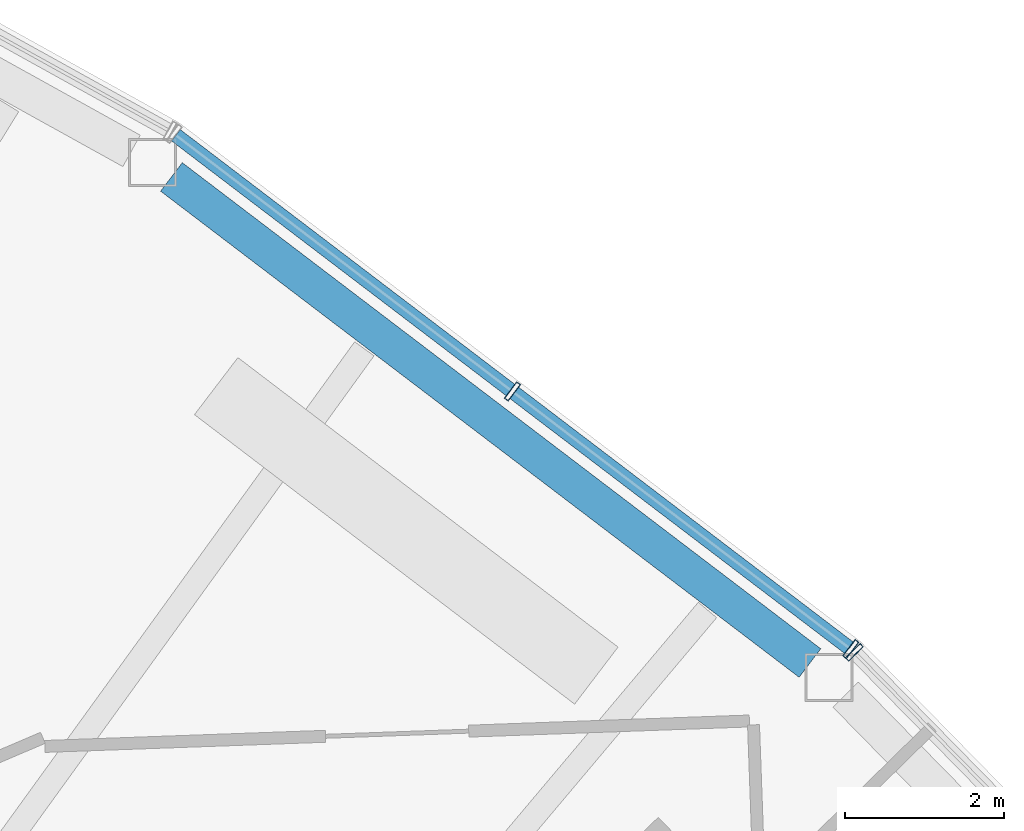
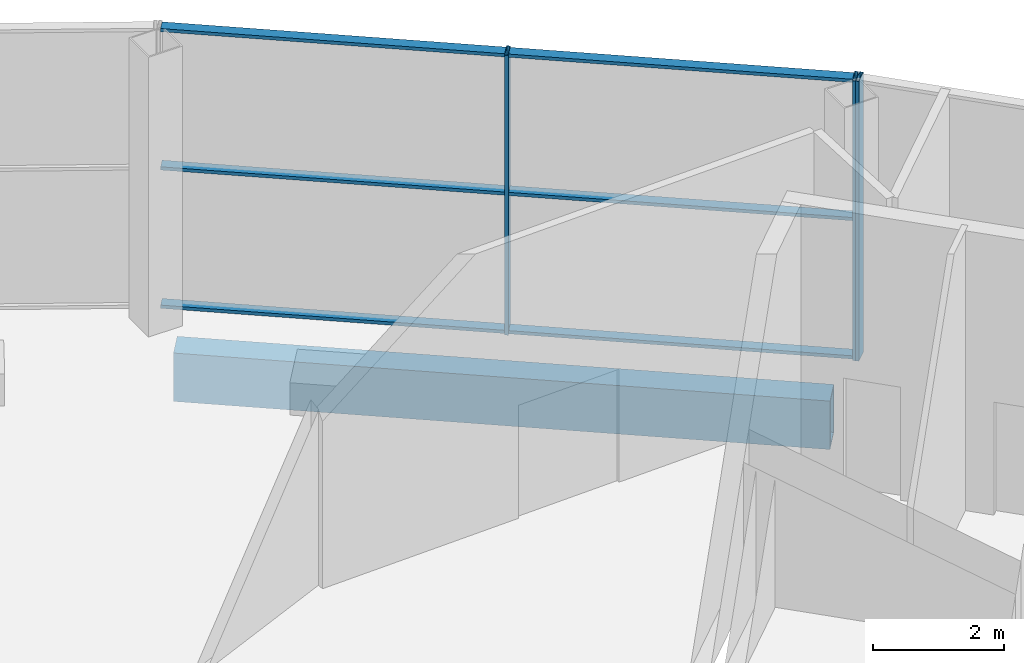
# One storey, part 27 of 44: 9 members, 1 beam, 2 elements without a shape of their own.
"""IFC4 building model written with IfcOpenShell, lengths in metres."""

from ifc_helpers import new_model, si_unit, direction, frame, origin, origin_2d, place, context, subcontext, project, spatial, hollow_rectangle, extrude, material, layer, layer_set, material_profile, profile_set, type_object, element, aggregate, save


model = new_model("IFC4")

# Units and contexts
model_context = context("Model", 3, precision=1e-05, world=origin(), true_north=direction((0.0, 1.0)))
body_context = subcontext(model_context, "Body", "Model", "MODEL_VIEW")
ifc_project = project(units=[si_unit("LENGTHUNIT", "METRE"), si_unit("AREAUNIT", "SQUARE_METRE"), si_unit("VOLUMEUNIT", "CUBIC_METRE"), si_unit("PLANEANGLEUNIT", "RADIAN"), si_unit("MASSUNIT", "GRAM", prefix="KILO")], contexts=[model_context])

# Site, building, storey
site_placement = place(None, origin())
site = spatial("IfcSite", under=ifc_project, at=site_placement, CompositionType="ELEMENT")
building_placement = place(site_placement, origin())
building = spatial("IfcBuilding", under=site, at=building_placement, Name="Tuul Gate Civic Tower", CompositionType="ELEMENT")
storey_placement = place(building_placement, frame((0.0, 0.0, 354.60009765625)))
storey = spatial("IfcBuildingStorey", under=building, at=storey_placement, Name="Observation level 2", CompositionType="ELEMENT", Elevation=354.60009765625)

# Curtain wall, member
ifc_material_1 = material(Name="Stainless steel", Category="steel")
ifc_layer = layer(ifc_material_1, 0.199951171875)
ifc_layer_set = layer_set([ifc_layer], Name="Stainless steel")
curtain_wall_type = type_object("IfcCurtainWallType", Name="Curtain wall CW4", PredefinedType="NOTDEFINED", material=ifc_layer_set)
curtain_wall_1_placement = place(storey_placement, origin())
curtain_wall_1 = element("IfcCurtainWall", 1, at=curtain_wall_1_placement, inside=storey, type_object=curtain_wall_type, Name="Curtain wall CW4", PredefinedType="NOTDEFINED")
ifc_material_2 = material(Name="Stainless steel", Category="steel")
ifc_material_profile_1 = material_profile(ifc_material_2, hollow_rectangle(XDim=0.260009765625, YDim=0.06005859375, WallThickness=0.006103515625, at=origin_2d()), Name="CW4 mullion")
ifc_profile_set_1 = profile_set([ifc_material_profile_1], Name="Stainless steel")
member_type_1 = type_object("IfcMemberType", Name="CW4 mullion", PredefinedType="MULLION", material=ifc_profile_set_1)
member_1_placement = place(storey_placement, frame((51.408935546875, -4.346435546875, 0.0), z_axis=(0.0, 0.0, 1.0), x_axis=(-0.714100212908, -0.700043488595, 0.0)))
member_1 = element("IfcMember", 2, at=member_1_placement, type_object=member_type_1, Name="Mullion", PredefinedType="MULLION", context=body_context, shape_type="SweptSolid", body=[
    extrude(hollow_rectangle(XDim=0.260009765625, YDim=0.06005859375, WallThickness=0.006103515625, at=origin_2d()), origin(), (0.0, 0.0, 1.0), 5.199951171875),
])
aggregate(curtain_wall_1, [member_1])

# Curtain wall, members
curtain_wall_2_placement = place(storey_placement, origin())
curtain_wall_2 = element("IfcCurtainWall", 3, at=curtain_wall_2_placement, inside=storey, type_object=curtain_wall_type, Name="Curtain wall CW4", PredefinedType="NOTDEFINED")
member_2_placement = place(storey_placement, frame((51.364013671875, -4.306884765625, 0.0), z_axis=(0.0, 0.0, 1.0), x_axis=(-0.605807600786, -0.795611180684, 0.0)))
member_2 = element("IfcMember", 4, at=member_2_placement, type_object=member_type_1, Name="Mullion", PredefinedType="MULLION", context=body_context, shape_type="SweptSolid", body=[
    extrude(hollow_rectangle(XDim=0.260009765625, YDim=0.06005859375, WallThickness=0.006103515625, at=origin_2d()), origin(), (0.0, 0.0, 1.0), 5.199951171875),
])
member_3_placement = place(storey_placement, frame((47.114501953125, -1.071044921875, 0.0), z_axis=(0.0, 0.0, 1.0), x_axis=(-0.605807600786, -0.795611180684, 0.0)))
member_3 = element("IfcMember", 5, at=member_3_placement, type_object=member_type_1, Name="Mullion", PredefinedType="MULLION", context=body_context, shape_type="SweptSolid", body=[
    extrude(hollow_rectangle(XDim=0.260009765625, YDim=0.06005859375, WallThickness=0.006103515625, at=origin_2d()), origin(), (0.0, 0.0, 1.0), 5.199951171875),
])
ifc_material_3 = material(Name="Stainless steel", Category="steel")
ifc_material_profile_2 = material_profile(ifc_material_3, hollow_rectangle(XDim=0.179931640625, YDim=0.06005859375, WallThickness=0.006103515625, at=origin_2d()), Name="CW4 transom")
ifc_profile_set_2 = profile_set([ifc_material_profile_2], Name="Stainless steel")
member_type_2 = type_object("IfcMemberType", Name="CW4 transom", PredefinedType="USERDEFINED", material=ifc_profile_set_2)
member_4_placement = place(storey_placement, frame((51.34033203125, -4.28857421875, 0.02978515625), z_axis=(-0.795613143647, 0.605805022805, 0.0), x_axis=(-0.605805022805, -0.795613143647, 0.0)))
member_4 = element("IfcMember", 6, at=member_4_placement, type_object=member_type_2, Name="Transom", ObjectType="TRANSOM", PredefinedType="USERDEFINED", context=body_context, shape_type="SweptSolid", body=[
    extrude(hollow_rectangle(XDim=0.179931640625, YDim=0.06005859375, WallThickness=0.006103515625, at=origin_2d()), origin(), (0.0, 0.0, 1.0), 5.28125),
])
member_5_placement = place(storey_placement, frame((51.34033203125, -4.28857421875, 2.599853515625), z_axis=(-0.795613143647, 0.605805022805, 0.0), x_axis=(-0.605805022805, -0.795613143647, 0.0)))
member_5 = element("IfcMember", 7, at=member_5_placement, type_object=member_type_2, Name="Transom", ObjectType="TRANSOM", PredefinedType="USERDEFINED", context=body_context, shape_type="SweptSolid", body=[
    extrude(hollow_rectangle(XDim=0.179931640625, YDim=0.06005859375, WallThickness=0.006103515625, at=origin_2d()), origin(), (0.0, 0.0, 1.0), 5.28125),
])
member_6_placement = place(storey_placement, frame((51.34033203125, -4.28857421875, 5.169921875), z_axis=(-0.795613143647, 0.605805022805, 0.0), x_axis=(-0.605805022805, -0.795613143647, 0.0)))
member_6 = element("IfcMember", 8, at=member_6_placement, type_object=member_type_2, Name="Transom", ObjectType="TRANSOM", PredefinedType="USERDEFINED", context=body_context, shape_type="SweptSolid", body=[
    extrude(hollow_rectangle(XDim=0.179931640625, YDim=0.06005859375, WallThickness=0.006103515625, at=origin_2d()), origin(), (0.0, 0.0, 1.0), 5.28125),
])
member_7_placement = place(storey_placement, frame((47.090576171875, -1.052734375, 0.02978515625), z_axis=(-0.795613143647, 0.605805022805, 0.0), x_axis=(-0.605805022805, -0.795613143647, 0.0)))
member_7 = element("IfcMember", 9, at=member_7_placement, type_object=member_type_2, Name="Transom", ObjectType="TRANSOM", PredefinedType="USERDEFINED", context=body_context, shape_type="SweptSolid", body=[
    extrude(hollow_rectangle(XDim=0.179931640625, YDim=0.06005859375, WallThickness=0.006103515625, at=origin_2d()), origin(), (0.0, 0.0, 1.0), 5.28125),
])
member_8_placement = place(storey_placement, frame((47.090576171875, -1.052734375, 2.599853515625), z_axis=(-0.795613143647, 0.605805022805, 0.0), x_axis=(-0.605805022805, -0.795613143647, 0.0)))
member_8 = element("IfcMember", 10, at=member_8_placement, type_object=member_type_2, Name="Transom", ObjectType="TRANSOM", PredefinedType="USERDEFINED", context=body_context, shape_type="SweptSolid", body=[
    extrude(hollow_rectangle(XDim=0.179931640625, YDim=0.06005859375, WallThickness=0.006103515625, at=origin_2d()), origin(), (0.0, 0.0, 1.0), 5.28125),
])
member_9_placement = place(storey_placement, frame((47.090576171875, -1.052734375, 5.169921875), z_axis=(-0.795613143647, 0.605805022805, 0.0), x_axis=(-0.605805022805, -0.795613143647, 0.0)))
member_9 = element("IfcMember", 11, at=member_9_placement, type_object=member_type_2, Name="Transom", ObjectType="TRANSOM", PredefinedType="USERDEFINED", context=body_context, shape_type="SweptSolid", body=[
    extrude(hollow_rectangle(XDim=0.179931640625, YDim=0.06005859375, WallThickness=0.006103515625, at=origin_2d()), origin(), (0.0, 0.0, 1.0), 5.28125),
])
aggregate(curtain_wall_2, [member_2, member_3, member_4, member_5, member_6, member_7, member_8, member_9])

# Beam
ifc_material_4 = material(Name="Steel S355", Category="steel")
ifc_material_profile_3 = material_profile(ifc_material_4, hollow_rectangle(XDim=0.449951171875, YDim=0.89990234375, WallThickness=0.02490234375, at=origin_2d()), Name="BOX900x450x25")
ifc_profile_set_3 = profile_set([ifc_material_profile_3], Name="Steel S355")
beam_type = type_object("IfcBeamType", Name="STR-SPANDREL BEAM-BOX900x450x25", PredefinedType="BEAM", material=ifc_profile_set_3)
beam_placement = place(storey_placement, frame((50.851318359375, -4.481201171875, -0.85009765625), z_axis=(-0.795665227609, 0.605736614028, 0.0), x_axis=(-0.605736614028, -0.795665227609, 0.0)))
element("IfcBeam", 12, at=beam_placement, inside=storey, type_object=beam_type, Name="Spandrel beam", PredefinedType="BEAM", context=body_context, shape_type="SweptSolid", body=[
    extrude(hollow_rectangle(XDim=0.449951171875, YDim=0.89990234375, WallThickness=0.02490234375, at=origin_2d()), origin(), (0.0, 0.0, 1.0), 10.077880859375),
])

save(model, "model.ifc")
